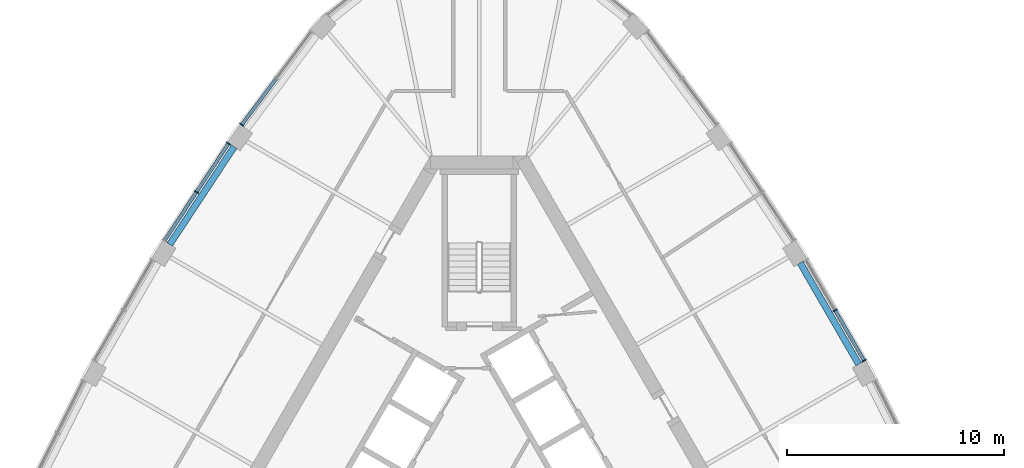
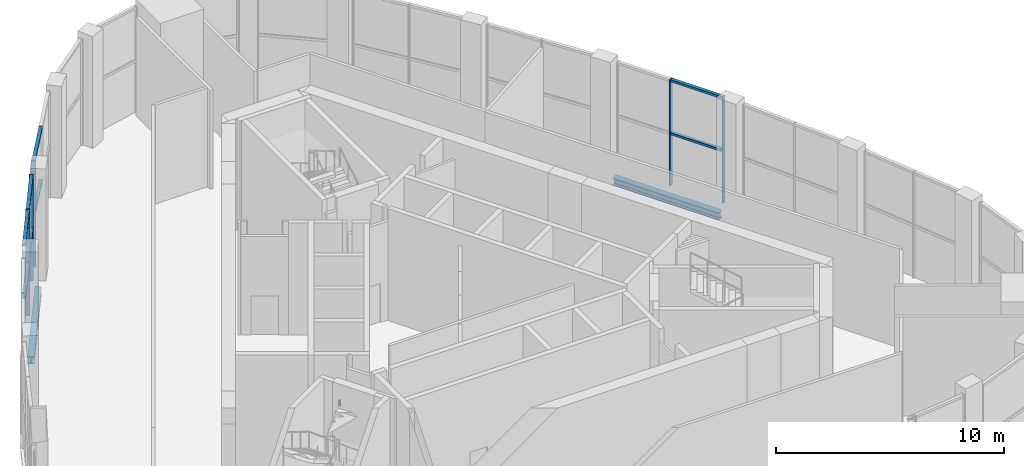
# One storey, part 6 of 15: 13 members, 2 beams, 2 elements without a shape of their own.
"""IFC4 building model written with IfcOpenShell, lengths in metres."""

from ifc_helpers import new_model, si_unit, direction, frame, origin, origin_2d, place, context, subcontext, project, spatial, rectangle, i_section, extrude, material, material_profile, profile_set, type_object, element, aggregate, save


model = new_model("IFC4")

# Units and contexts
model_context = context("Model", 3, precision=1e-05, world=origin(), true_north=direction((0.0, 1.0)))
body_context = subcontext(model_context, "Body", "Model", "MODEL_VIEW")
ifc_project = project(units=[si_unit("LENGTHUNIT", "METRE"), si_unit("AREAUNIT", "SQUARE_METRE"), si_unit("VOLUMEUNIT", "CUBIC_METRE"), si_unit("PLANEANGLEUNIT", "RADIAN"), si_unit("MASSUNIT", "GRAM", prefix="KILO")], contexts=[model_context])

# Site, building, storey
site_placement = place(None, origin())
site = spatial("IfcSite", under=ifc_project, at=site_placement, CompositionType="ELEMENT")
building_placement = place(site_placement, origin())
building = spatial("IfcBuilding", under=site, at=building_placement, Name="Mestral Congress Tower", CompositionType="ELEMENT")
storey_placement = place(building_placement, frame((0.0, 0.0, 321.60009765625)))
storey = spatial("IfcBuildingStorey", under=building, at=storey_placement, Name="L75", CompositionType="ELEMENT", Elevation=321.60009765625)

# Curtain wall, members
ifc_material_1 = material(Name="Clear low-emissivity double glazing", Category="glass")
curtain_wall_type = type_object("IfcCurtainWallType", Name="Facade lookout lounge curtain wall", PredefinedType="USERDEFINED", material=ifc_material_1)
placement = place(storey_placement, origin())
curtain_wall_1 = element("IfcCurtainWall", 1, at=placement, inside=storey, type_object=curtain_wall_type, Name="Facade lookout lounge curtain wall face 2", ObjectType="CURTAIN WALL", PredefinedType="USERDEFINED")
ifc_material_2 = material(Name="Anodised aluminium", Category="aluminium")
ifc_material_profile_1 = material_profile(ifc_material_2, rectangle(XDim=0.199951171875, YDim=0.050048828125, at=origin_2d()), Name="CW2 mullion 200 x 50")
ifc_profile_set_1 = profile_set([ifc_material_profile_1], Name="Anodised aluminium")
member_type_1 = type_object("IfcMemberType", Name="Facade lookout lounge curtain wall mullion", PredefinedType="MULLION", material=ifc_profile_set_1)
member_1_placement = place(storey_placement, frame((17.754638671875, 7.158447265625, 0.0), z_axis=(0.0, 0.0, 1.0), x_axis=(0.866021913105, 0.500006045986, 0.0)))
member_1 = element("IfcMember", 2, at=member_1_placement, type_object=member_type_1, Name="Facade lookout lounge curtain wall mullion", PredefinedType="MULLION", context=body_context, shape_type="SweptSolid", body=[
    extrude(rectangle(XDim=0.199951171875, YDim=0.050048828125, at=origin_2d()), origin(), (0.0, 0.0, 1.0), 5.699951171875),
])
member_2_placement = place(storey_placement, frame((16.415771484375, 9.4775390625, 0.0), z_axis=(0.0, 0.0, 1.0), x_axis=(0.866021913105, 0.500006045986, 0.0)))
member_2 = element("IfcMember", 3, at=member_2_placement, type_object=member_type_1, Name="Facade lookout lounge curtain wall mullion", PredefinedType="MULLION", context=body_context, shape_type="SweptSolid", body=[
    extrude(rectangle(XDim=0.199951171875, YDim=0.050048828125, at=origin_2d()), origin(), (0.0, 0.0, 1.0), 5.699951171875),
])

curtain_wall_2 = element("IfcCurtainWall", 4, at=placement, inside=storey, type_object=curtain_wall_type, Name="Facade lookout lounge curtain wall face 3", ObjectType="CURTAIN WALL", PredefinedType="USERDEFINED")
member_3_placement = place(storey_placement, frame((-10.959228515625, 18.036865234375, 0.0), z_axis=(0.0, 0.0, 1.0), x_axis=(-0.800343325056, 0.599541960198, 0.0)))
member_3 = element("IfcMember", 5, at=member_3_placement, type_object=member_type_1, Name="Facade lookout lounge curtain wall mullion", PredefinedType="MULLION", context=body_context, shape_type="SweptSolid", body=[
    extrude(rectangle(XDim=0.199951171875, YDim=0.050048828125, at=origin_2d()), origin(), (0.0, 0.0, 1.0), 5.699951171875),
])
member_4_placement = place(storey_placement, frame((-11.569580078125, 17.16943359375, 0.0), z_axis=(0.0, 0.0, 1.0), x_axis=(-0.834674883443, 0.550742988107, 0.0)))
member_4 = element("IfcMember", 6, at=member_4_placement, type_object=member_type_1, Name="Facade lookout lounge curtain wall mullion", PredefinedType="MULLION", context=body_context, shape_type="SweptSolid", body=[
    extrude(rectangle(XDim=0.199951171875, YDim=0.050048828125, at=origin_2d()), origin(), (0.0, 0.0, 1.0), 5.699951171875),
])
member_5_placement = place(storey_placement, frame((-13.04443359375, 14.93408203125, 0.0), z_axis=(0.0, 0.0, 1.0), x_axis=(-0.834674883443, 0.550742988107, 0.0)))
member_5 = element("IfcMember", 7, at=member_5_placement, type_object=member_type_1, Name="Facade lookout lounge curtain wall mullion", PredefinedType="MULLION", context=body_context, shape_type="SweptSolid", body=[
    extrude(rectangle(XDim=0.199951171875, YDim=0.050048828125, at=origin_2d()), origin(), (0.0, 0.0, 1.0), 5.699951171875),
])

# Member
ifc_material_profile_2 = material_profile(ifc_material_2, rectangle(XDim=0.159912109375, YDim=0.1201171875, at=origin_2d()), Name="CW2 transom 160 x 120")
ifc_profile_set_2 = profile_set([ifc_material_profile_2], Name="Anodised aluminium")
member_type_2 = type_object("IfcMemberType", Name="Facade lookout lounge curtain wall transom", PredefinedType="USERDEFINED", material=ifc_profile_set_2)
member_6_placement = place(storey_placement, frame((17.7421875, 7.18017578125, 2.7998046875), z_axis=(-0.500036104519, 0.866004557827, 0.0), x_axis=(-0.866004557827, -0.500036104519, 0.0)))
member_6 = element("IfcMember", 8, at=member_6_placement, type_object=member_type_2, Name="Facade lookout lounge curtain wall transom", ObjectType="TRANSOM", PredefinedType="USERDEFINED", context=body_context, shape_type="SweptSolid", body=[
    extrude(rectangle(XDim=0.159912109375, YDim=0.1201171875, at=origin_2d()), origin(), (0.0, 0.0, 1.0), 2.627685546875),
])

member_7_placement = place(storey_placement, frame((17.7421875, 7.18017578125, 5.639892578125), z_axis=(-0.500036104519, 0.866004557827, 0.0), x_axis=(-0.866004557827, -0.500036104519, 0.0)))
member_7 = element("IfcMember", 9, at=member_7_placement, type_object=member_type_2, Name="Facade lookout lounge curtain wall transom", ObjectType="TRANSOM", PredefinedType="USERDEFINED", context=body_context, shape_type="SweptSolid", body=[
    extrude(rectangle(XDim=0.159912109375, YDim=0.1201171875, at=origin_2d()), origin(), (0.0, 0.0, 1.0), 2.627685546875),
])

aggregate(curtain_wall_1, [member_1, member_2, member_6, member_7])

member_8_placement = place(storey_placement, frame((-9.365966796875, 20.163818359375, 2.7998046875), z_axis=(-0.599554762048, -0.800333734954, 0.0), x_axis=(0.800333734954, -0.599554762048, 0.0)))
member_8 = element("IfcMember", 10, at=member_8_placement, type_object=member_type_2, Name="Facade lookout lounge curtain wall transom", ObjectType="TRANSOM", PredefinedType="USERDEFINED", context=body_context, shape_type="SweptSolid", body=[
    extrude(rectangle(XDim=0.159912109375, YDim=0.1201171875, at=origin_2d()), origin(), (0.0, 0.0, 1.0), 2.632568359375),
])

member_9_placement = place(storey_placement, frame((-9.365966796875, 20.163818359375, 5.639892578125), z_axis=(-0.599554762048, -0.800333734954, 0.0), x_axis=(0.800333734954, -0.599554762048, 0.0)))
member_9 = element("IfcMember", 11, at=member_9_placement, type_object=member_type_2, Name="Facade lookout lounge curtain wall transom", ObjectType="TRANSOM", PredefinedType="USERDEFINED", context=body_context, shape_type="SweptSolid", body=[
    extrude(rectangle(XDim=0.159912109375, YDim=0.1201171875, at=origin_2d()), origin(), (0.0, 0.0, 1.0), 2.632568359375),
])

member_10_placement = place(storey_placement, frame((-11.583251953125, 17.148681640625, 2.7998046875), z_axis=(-0.550706307837, -0.834699085005, 0.0), x_axis=(0.834699085005, -0.550706307837, 0.0)))
member_10 = element("IfcMember", 12, at=member_10_placement, type_object=member_type_2, Name="Facade lookout lounge curtain wall transom", ObjectType="TRANSOM", PredefinedType="USERDEFINED", context=body_context, shape_type="SweptSolid", body=[
    extrude(rectangle(XDim=0.159912109375, YDim=0.1201171875, at=origin_2d()), origin(), (0.0, 0.0, 1.0), 2.6279296875),
])

member_11_placement = place(storey_placement, frame((-11.583251953125, 17.148681640625, 5.639892578125), z_axis=(-0.550706307837, -0.834699085005, 0.0), x_axis=(0.834699085005, -0.550706307837, 0.0)))
member_11 = element("IfcMember", 13, at=member_11_placement, type_object=member_type_2, Name="Facade lookout lounge curtain wall transom", ObjectType="TRANSOM", PredefinedType="USERDEFINED", context=body_context, shape_type="SweptSolid", body=[
    extrude(rectangle(XDim=0.159912109375, YDim=0.1201171875, at=origin_2d()), origin(), (0.0, 0.0, 1.0), 2.6279296875),
])

member_12_placement = place(storey_placement, frame((-13.05810546875, 14.913330078125, 2.7998046875), z_axis=(-0.5508137344, -0.834628198659, 0.0), x_axis=(0.834628198659, -0.5508137344, 0.0)))
member_12 = element("IfcMember", 14, at=member_12_placement, type_object=member_type_2, Name="Facade lookout lounge curtain wall transom", ObjectType="TRANSOM", PredefinedType="USERDEFINED", context=body_context, shape_type="SweptSolid", body=[
    extrude(rectangle(XDim=0.159912109375, YDim=0.1201171875, at=origin_2d()), origin(), (0.0, 0.0, 1.0), 2.6279296875),
])

member_13_placement = place(storey_placement, frame((-13.05810546875, 14.913330078125, 5.639892578125), z_axis=(-0.5508137344, -0.834628198659, 0.0), x_axis=(0.834628198659, -0.5508137344, 0.0)))
member_13 = element("IfcMember", 15, at=member_13_placement, type_object=member_type_2, Name="Facade lookout lounge curtain wall transom", ObjectType="TRANSOM", PredefinedType="USERDEFINED", context=body_context, shape_type="SweptSolid", body=[
    extrude(rectangle(XDim=0.159912109375, YDim=0.1201171875, at=origin_2d()), origin(), (0.0, 0.0, 1.0), 2.6279296875),
])

aggregate(curtain_wall_2, [member_3, member_8, member_9, member_4, member_5, member_10, member_11, member_12, member_13])

# Beams
ifc_material_3 = material(Name="Steel S355", Category="steel")
ifc_material_profile_3 = material_profile(ifc_material_3, i_section(OverallWidth=0.300048828125, OverallDepth=0.389892578125, WebThickness=0.010986328125, FlangeThickness=0.01904296875, FilletRadius=0.027099609375, at=origin_2d()), Name="HEA 400")
ifc_profile_set_3 = profile_set([ifc_material_profile_3], Name="Steel S355")
beam_type = type_object("IfcBeamType", Name="Spandrel beam HEA 400 S355", PredefinedType="BEAM", material=ifc_profile_set_3)
beam_1_placement = place(storey_placement, frame((17.505615234375, 6.989990234375, -0.4951171875), z_axis=(-0.500025177812, 0.86601086688, 0.0), x_axis=(-0.86601086688, -0.500025177812, 0.0)))
element("IfcBeam", 16, at=beam_1_placement, inside=storey, type_object=beam_type, Name="SP-L75-SB5-E02", PredefinedType="BEAM", context=body_context, shape_type="SweptSolid", body=[
    extrude(i_section(OverallWidth=0.300048828125, OverallDepth=0.389892578125, WebThickness=0.010986328125, FlangeThickness=0.01904296875, FilletRadius=0.027099609375, at=origin_2d()), origin(), (0.0, 0.0, 1.0), 5.398681640625),
])
beam_2_placement = place(storey_placement, frame((-11.307373046875, 17.02197265625, -0.4951171875), z_axis=(-0.550748957655, -0.83467094453, 0.0), x_axis=(0.83467094453, -0.550748957655, 0.0)))
element("IfcBeam", 17, at=beam_2_placement, inside=storey, type_object=beam_type, Name="SP-L75-SB5-W01", PredefinedType="BEAM", context=body_context, shape_type="SweptSolid", body=[
    extrude(i_section(OverallWidth=0.300048828125, OverallDepth=0.389892578125, WebThickness=0.010986328125, FlangeThickness=0.01904296875, FilletRadius=0.027099609375, at=origin_2d()), origin(), (0.0, 0.0, 1.0), 5.3984375),
])

save(model, "model.ifc")
